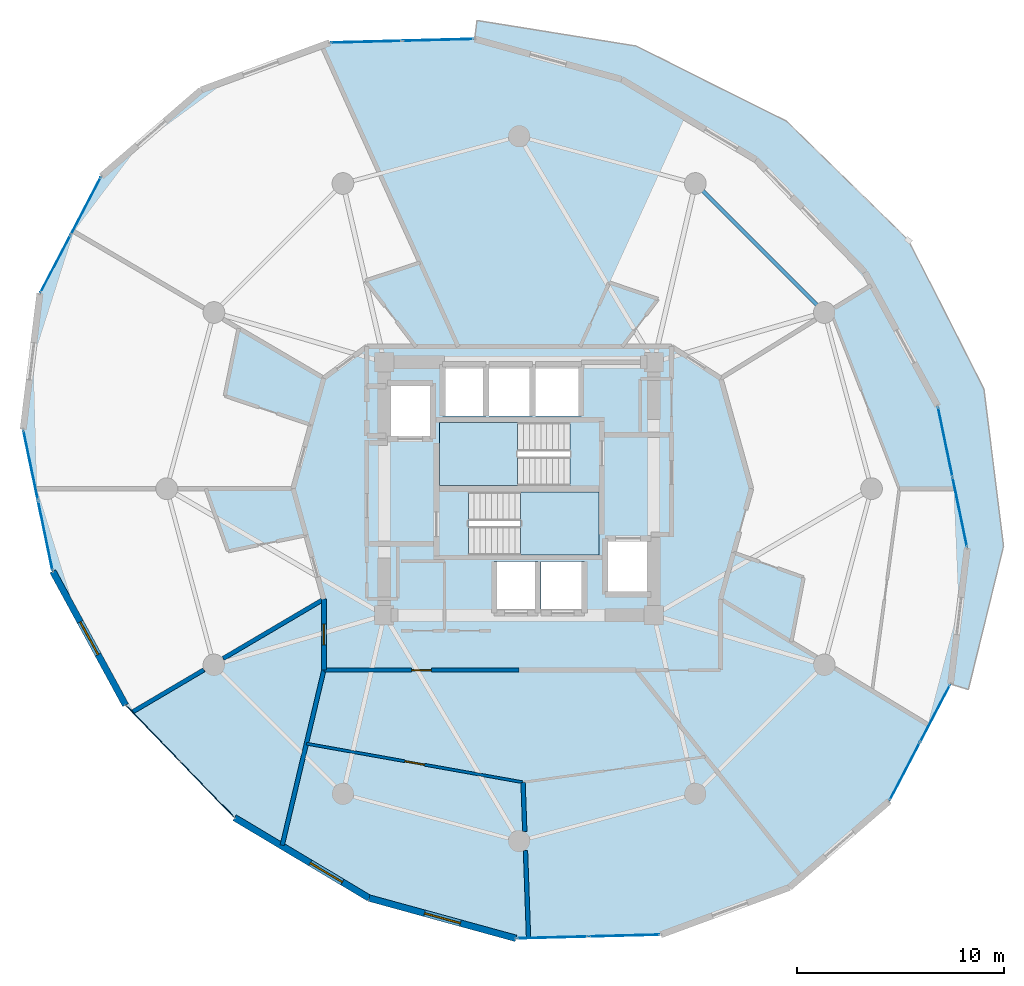
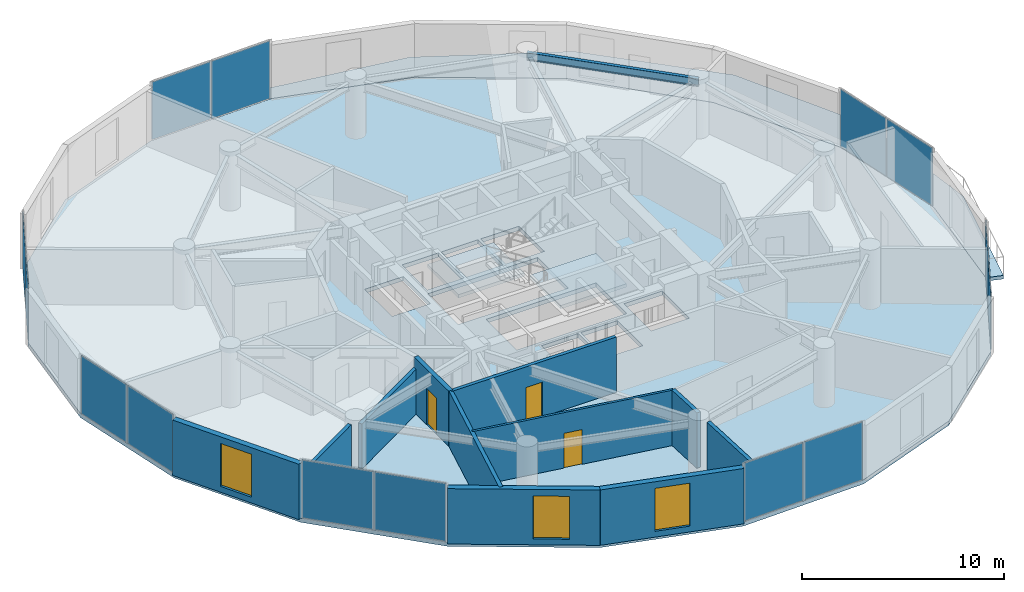
# One storey, part 19 of 25: 14 plates, 11 walls, 4 slabs, 3 doors, 3 windows, 1 beam, 6 openings, 9 elements without a shape of their own.
"""IFC4 building model written with IfcOpenShell, lengths in metres."""

import ifcopenshell
import ifcopenshell.guid

model = None  # the IFC model being written
_history = None  # IfcOwnerHistory: only IFC2X3 demands one
_inside = {}  # id of a spatial element -> (the spatial element, [elements in it])
_under = {}  # id of a project, library or spatial element -> (it, [spatial elements below it])
_declared = {}  # id of a project -> (the project, [libraries it declares])
_typed = {}  # id of a type object -> (the type object, [elements of that type])
_made_of = {}  # id of a material, layer set ... -> (it, [elements and type objects made of it])


def new_model(schema):
    """Start an empty IFC model of exactly this schema.

    Asked for "IFC4X3", IfcOpenShell would pick the latest addendum, in which some entities
    have other attributes; the version numbers below select the first issue.
    IFC2X3 requires an IfcOwnerHistory on every rooted entity: one is made here for all.
    """
    global model, _history
    if schema == "IFC4X3":
        model = ifcopenshell.file(schema_version=(4, 3, 0, 0))
    else:
        model = ifcopenshell.file(schema=schema)
    _inside.clear()
    _under.clear()
    _declared.clear()
    _typed.clear()
    _made_of.clear()
    _history = None
    if model.schema == "IFC2X3":
        org = make("IfcOrganization", Name="unknown")
        user = make(
            "IfcPersonAndOrganization",
            ThePerson=make("IfcPerson", FamilyName="unknown"),
            TheOrganization=org,
        )
        app = make(
            "IfcApplication",
            ApplicationDeveloper=org,
            Version="unknown",
            ApplicationFullName="unknown",
            ApplicationIdentifier="unknown",
        )
        _history = make(
            "IfcOwnerHistory",
            OwningUser=user,
            OwningApplication=app,
            ChangeAction="ADDED",
            CreationDate=0,
        )
    return model


def make(cls, **values):
    """One entity of the class cls with the attributes given. An attribute that is None is left unset."""
    return model.create_entity(
        cls, **{name: value for name, value in values.items() if value is not None}
    )


def rooted(cls, **values):
    """An entity with a GlobalId (a new one), such as an element, a storey or a relation."""
    return make(cls, GlobalId=ifcopenshell.guid.new(), OwnerHistory=_history, **values)


def si_unit(unit_type, name, prefix=None):
    """IfcSIUnit, for example si_unit("LENGTHUNIT", "METRE", prefix="MILLI")."""
    return make("IfcSIUnit", UnitType=unit_type, Prefix=prefix, Name=name)


def assignment(units):
    """IfcUnitAssignment: the units of a project."""
    return None if units is None else make("IfcUnitAssignment", Units=units)


def point(xyz):
    """IfcCartesianPoint."""
    return None if xyz is None else make("IfcCartesianPoint", Coordinates=xyz)


def direction(xyz):
    """IfcDirection."""
    return None if xyz is None else make("IfcDirection", DirectionRatios=xyz)


def frame(location, z_axis=None, x_axis=None):
    """IfcAxis2Placement3D, a coordinate frame: its origin and axes. An axis left out is left unset."""
    return make(
        "IfcAxis2Placement3D",
        Location=point(location),
        Axis=direction(z_axis),
        RefDirection=direction(x_axis),
    )


def frame_2d(location, x_axis=None):
    """IfcAxis2Placement2D, a coordinate frame in the plane: its origin and x axis."""
    return make(
        "IfcAxis2Placement2D", Location=point(location), RefDirection=direction(x_axis)
    )


def origin():
    """The frame at (0, 0, 0) with its axes left unset."""
    return frame((0.0, 0.0, 0.0))


def origin_2d():
    """The frame at (0, 0) in the plane with its x axis left unset."""
    return frame_2d((0.0, 0.0))


def place(relative_to, where):
    """IfcLocalPlacement: puts the frame where relative to a parent placement (None: the world)."""
    return make(
        "IfcLocalPlacement", PlacementRelTo=relative_to, RelativePlacement=where
    )


def context(
    kind, dimensions, precision=None, world=None, true_north=None, identifier=None
):
    """IfcGeometricRepresentationContext, for example the 3D "Model" context."""
    return make(
        "IfcGeometricRepresentationContext",
        ContextIdentifier=identifier,
        ContextType=kind,
        CoordinateSpaceDimension=dimensions,
        Precision=precision,
        WorldCoordinateSystem=world,
        TrueNorth=true_north,
    )


def subcontext(parent, identifier, kind, view, scale=None):
    """IfcGeometricRepresentationSubContext, for example "Body" below "Model"."""
    return make(
        "IfcGeometricRepresentationSubContext",
        ContextIdentifier=identifier,
        ContextType=kind,
        ParentContext=parent,
        TargetScale=scale,
        TargetView=view,
    )


def project(units=None, contexts=None):
    """IfcProject with its units and contexts."""
    return rooted(
        "IfcProject",
        Name="project",
        RepresentationContexts=contexts,
        UnitsInContext=assignment(units),
    )


def spatial(cls, under=None, at=None, **own):
    """A site, building, storey or space (cls), placed at a placement, below another one or the project."""
    s = rooted(cls, ObjectPlacement=at, **own)
    if under is not None:
        _under.setdefault(under.id(), (under, []))[1].append(s)
    return s


def polyline(points):
    """IfcPolyline through the points."""
    return make("IfcPolyline", Points=[point(p) for p in points])


def profile(cls, at=None, kind="AREA", **sizes):
    """A parametric profile (cls). Its sizes go by their IFC names, for example OverallWidth=200.0."""
    return make(cls, ProfileType=kind, Position=at, **sizes)


def rectangle(**sizes):
    """IfcRectangleProfileDef."""
    return profile("IfcRectangleProfileDef", **sizes)


def i_section(**sizes):
    """IfcIShapeProfileDef."""
    return profile("IfcIShapeProfileDef", **sizes)


def outline(outer, holes=None, kind="AREA"):
    """IfcArbitraryClosedProfileDef: a profile drawn as a closed curve; with holes, ...WithVoids."""
    if holes is None:
        return make("IfcArbitraryClosedProfileDef", ProfileType=kind, OuterCurve=outer)
    return make(
        "IfcArbitraryProfileDefWithVoids",
        ProfileType=kind,
        OuterCurve=outer,
        InnerCurves=holes,
    )


def extrude(swept, where, along, depth):
    """IfcExtrudedAreaSolid: the profile swept, set in the frame where, extruded along a direction by depth."""
    return make(
        "IfcExtrudedAreaSolid",
        SweptArea=swept,
        Position=where,
        ExtrudedDirection=direction(along),
        Depth=depth,
    )


def shape(context_of_items, identifier, shape_type, items):
    """IfcShapeRepresentation: the items that make up one representation, for example the "Body"."""
    return make(
        "IfcShapeRepresentation",
        ContextOfItems=context_of_items,
        RepresentationIdentifier=identifier,
        RepresentationType=shape_type,
        Items=items,
    )


def source(mapping_origin, context_of_items, identifier, shape_type, items):
    """IfcRepresentationMap: a shape defined once, which mapped items show again and again."""
    return make(
        "IfcRepresentationMap",
        MappingOrigin=mapping_origin,
        MappedRepresentation=shape(context_of_items, identifier, shape_type, items),
    )


def transform(
    local_origin,
    x_axis=None,
    y_axis=None,
    z_axis=None,
    scale=None,
    scale2=None,
    scale3=None,
    uniform=True,
):
    """IfcCartesianTransformationOperator3D, or its non-uniform kind. x_axis, y_axis, z_axis: its Axis1, 2, 3."""
    if uniform:
        return make(
            "IfcCartesianTransformationOperator3D",
            Axis1=direction(x_axis),
            Axis2=direction(y_axis),
            LocalOrigin=point(local_origin),
            Scale=scale,
            Axis3=direction(z_axis),
        )
    return make(
        "IfcCartesianTransformationOperator3DnonUniform",
        Axis1=direction(x_axis),
        Axis2=direction(y_axis),
        LocalOrigin=point(local_origin),
        Scale=scale,
        Axis3=direction(z_axis),
        Scale2=scale2,
        Scale3=scale3,
    )


def mapped(mapping_source, mapping_target):
    """IfcMappedItem: shows the shape of a source again, moved by a transform."""
    return make(
        "IfcMappedItem", MappingSource=mapping_source, MappingTarget=mapping_target
    )


def material(Name=None, Category=None):
    """IfcMaterial."""
    return make("IfcMaterial", Name=Name, Category=Category)


def layer(
    of_material, thickness, ventilated=None, Name=None, Category=None, Priority=None
):
    """IfcMaterialLayer: one layer of a wall or slab, of a material (None: an air gap)."""
    return make(
        "IfcMaterialLayer",
        Material=of_material,
        LayerThickness=thickness,
        IsVentilated=ventilated,
        Name=Name,
        Category=Category,
        Priority=Priority,
    )


def layer_set(layers, Name=None):
    """IfcMaterialLayerSet."""
    return make("IfcMaterialLayerSet", MaterialLayers=layers, LayerSetName=Name)


def material_profile(
    of_material, cross_section, Name=None, Category=None, Priority=None
):
    """IfcMaterialProfile: a cross section and its material."""
    return make(
        "IfcMaterialProfile",
        Name=Name,
        Material=of_material,
        Profile=cross_section,
        Priority=Priority,
        Category=Category,
    )


def profile_set(profiles, Name=None, composite=None):
    """IfcMaterialProfileSet."""
    return make(
        "IfcMaterialProfileSet",
        Name=Name,
        MaterialProfiles=profiles,
        CompositeProfile=composite,
    )


def made_of(thing, what):
    """Note that an element or type object is made of a material, layer set ...; save() writes the relation."""
    if what is not None:
        _made_of.setdefault(what.id(), (what, []))[1].append(thing)
    return thing


def type_object(cls, material=None, **own):
    """A type object (cls), such as IfcWallType, which elements share."""
    return made_of(rooted(cls, **own), material)


def element(
    cls,
    number,
    at=None,
    inside=None,
    cuts=None,
    type_object=None,
    material=None,
    context=None,
    identifier="Body",
    shape_type=None,
    held_by="IfcProductDefinitionShape",
    body=None,
    shapes=None,
    **own,
):
    """One element of the class cls, such as IfcWall. Its Tag is "e" and its number.

    at: its placement. inside: the storey or other place that contains it. cuts: it is an
    opening in that element (IfcRelVoidsElement). A single representation is given by context,
    identifier, shape_type and body (its items); several are given by shapes. held_by: the class
    of the entity that holds the representations. save() writes the other relations.
    """
    e = rooted(cls, Tag="e%d" % number, ObjectPlacement=at, **own)
    if body is not None:
        shapes = [shape(context, identifier, shape_type, body)]
    if shapes is not None:
        e.Representation = make(held_by, Representations=shapes)
    if inside is not None:
        _inside.setdefault(inside.id(), (inside, []))[1].append(e)
    if cuts is not None:
        rooted(
            "IfcRelVoidsElement", RelatingBuildingElement=cuts, RelatedOpeningElement=e
        )
    if type_object is not None:
        _typed.setdefault(type_object.id(), (type_object, []))[1].append(e)
    return made_of(e, material)


def fill(opening, filler):
    """IfcRelFillsElement: the door or window that sits in an opening."""
    return rooted(
        "IfcRelFillsElement",
        RelatingOpeningElement=opening,
        RelatedBuildingElement=filler,
    )


def aggregate(whole, parts):
    """IfcRelAggregates: a whole, such as a stair, and the parts it consists of."""
    return rooted("IfcRelAggregates", RelatingObject=whole, RelatedObjects=parts)


def save(model, path):
    """Write the relations noted so far, then the file.

    IfcRelAggregates (storeys below a building ...), IfcRelContainedInSpatialStructure (elements
    in a storey), IfcRelDefinesByType, IfcRelAssociatesMaterial and IfcRelDeclares: one each for
    every whole, place, type object, material and project.
    """
    for whole, parts in _under.values():
        aggregate(whole, parts)
    for where, things in _inside.values():
        rooted(
            "IfcRelContainedInSpatialStructure",
            RelatedElements=things,
            RelatingStructure=where,
        )
    for kind, things in _typed.values():
        rooted("IfcRelDefinesByType", RelatedObjects=things, RelatingType=kind)
    for what, things in _made_of.values():
        rooted("IfcRelAssociatesMaterial", RelatedObjects=things, RelatingMaterial=what)
    for by, libraries in _declared.values():
        rooted("IfcRelDeclares", RelatingContext=by, RelatedDefinitions=libraries)
    model.write(path)


model = new_model("IFC4")

# Units and contexts
model_context = context("Model", 3, precision=1e-05, world=origin(), true_north=direction((0.0, 1.0)))
body_context = subcontext(model_context, "Body", "Model", "MODEL_VIEW")
ifc_project = project(units=[si_unit("LENGTHUNIT", "METRE"), si_unit("AREAUNIT", "SQUARE_METRE"), si_unit("VOLUMEUNIT", "CUBIC_METRE"), si_unit("PLANEANGLEUNIT", "RADIAN"), si_unit("MASSUNIT", "GRAM", prefix="KILO")], contexts=[model_context])

# Site, building, storey
site_placement = place(None, origin())
site = spatial("IfcSite", under=ifc_project, at=site_placement, CompositionType="ELEMENT")
building_placement = place(site_placement, origin())
building = spatial("IfcBuilding", under=site, at=building_placement, Name="Solvirekh Grand Hotel", CompositionType="ELEMENT")
storey_placement = place(building_placement, frame((0.0, 0.0, 127.800048828125)))
storey = spatial("IfcBuildingStorey", under=building, at=storey_placement, Name="L32", CompositionType="ELEMENT", Elevation=127.800048828125)

# Beam
ifc_material_1 = material(Name="Steel S355", Category="steel")
ifc_material_profile = material_profile(ifc_material_1, i_section(OverallWidth=0.18994140625, OverallDepth=0.45703125, WebThickness=0.009033203125, FlangeThickness=0.013916015625, FilletRadius=0.012939453125, at=origin_2d()), Name="W460X74")
ifc_profile_set = profile_set([ifc_material_profile], Name="Steel S355")
beam_type = type_object("IfcBeamType", Name="Spandrel_Ring_W460", PredefinedType="SPANDREL", material=ifc_profile_set)
beam_placement = place(storey_placement, frame((14.721923828125, 8.5, 3.1220703125), z_axis=(-0.707106781187, 0.707106781187, 0.0), x_axis=(-0.707106781187, -0.707106781187, 0.0)))
element("IfcBeam", 1, at=beam_placement, inside=storey, type_object=beam_type, Name="L32 perimeter spandrel beam 2", PredefinedType="SPANDREL", context=body_context, shape_type="SweptSolid", body=[
    extrude(i_section(OverallWidth=0.18994140625, OverallDepth=0.45703125, WebThickness=0.009033203125, FlangeThickness=0.013916015625, FilletRadius=0.012939453125, at=origin_2d()), origin(), (0.0, 0.0, 1.0), 8.799072265625),
])

# Slab
ifc_material_2 = material(Name="Concrete C50/60", Category="concrete")
ifc_layer_1 = layer(ifc_material_2, 0.215087890625)
ifc_layer_set_1 = layer_set([ifc_layer_1], Name="Concrete C50/60")
slab_type_1 = type_object("IfcSlabType", Name="ExtCrescentBalc_215", PredefinedType="FLOOR", material=ifc_layer_set_1)
slab_1_placement = place(storey_placement, frame((0.0, 0.0, -0.215087890625)))
element("IfcSlab", 2, at=slab_1_placement, inside=storey, type_object=slab_type_1, Name="L32 sweeping crescent balcony slab", PredefinedType="FLOOR", context=body_context, shape_type="SweptSolid", body=[
    extrude(outline(polyline([(21.6708984375, -9.68701171875), (23.365966796875, -2.778076171875), (22.4208984375, 4.81005859375), (18.778076171875, 11.98193359375), (12.902099609375, 17.72900390625), (5.6298828125, 21.35595703125), (-2.031982421875, 22.5859375), (-2.14501953125, 21.693115234375), (4.93994140625, 19.748046875), (11.427978515625, 15.8701171875), (16.68505859375, 10.43798828125), (20.197021484375, 3.985107421875), (21.617919921875, -2.85791015625), (20.81103515625, -9.422119140625), (21.6708984375, -9.68701171875)])), origin(), (0.0, 0.0, 1.0), 0.215087890625),
])

# Stair, slab
ifc_material_3 = material(Name="Concrete C40/50", Category="concrete")
stair_type = type_object("IfcStairType", Name="Stair_Core_1450", PredefinedType="HALF_TURN_STAIR", material=ifc_material_3)
stair_1_placement = place(storey_placement, origin())
stair_1 = element("IfcStair", 3, at=stair_1_placement, inside=storey, type_object=stair_type, Name="L32 Enclosed exit stair ST-1", PredefinedType="HALF_TURN_STAIR")
ifc_layer_2 = layer(ifc_material_3, 0.199951171875)
ifc_layer_set_2 = layer_set([ifc_layer_2], Name="Concrete C40/50")
slab_type_2 = type_object("IfcSlabType", Name="Landing_Stair_200", PredefinedType="LANDING", material=ifc_layer_set_2)
slab_2_placement = place(storey_placement, frame((0.0, 0.0, 1.599853515625)))
slab_2 = element("IfcSlab", 4, at=slab_2_placement, type_object=slab_type_2, Name="ST-1 landing 1", PredefinedType="LANDING", context=body_context, shape_type="SweptSolid", body=[
    extrude(outline(polyline([(0.070068359375, -3.199951171875), (3.85009765625, -3.199951171875), (3.85009765625, -0.14990234375), (0.070068359375, -0.14990234375), (0.070068359375, -3.199951171875)])), origin(), (0.0, 0.0, 1.0), 0.2001953125),
])
aggregate(stair_1, [slab_2])

stair_2_placement = place(storey_placement, origin())
stair_2 = element("IfcStair", 5, at=stair_2_placement, inside=storey, type_object=stair_type, Name="L32 Enclosed exit stair ST-2", PredefinedType="HALF_TURN_STAIR")
slab_3_placement = place(storey_placement, frame((0.0, 0.0, 1.599853515625)))
slab_3 = element("IfcSlab", 6, at=slab_3_placement, type_object=slab_type_2, Name="ST-2 landing 1", PredefinedType="LANDING", context=body_context, shape_type="SweptSolid", body=[
    extrude(outline(polyline([(-0.070068359375, 3.199951171875), (-3.85009765625, 3.199951171875), (-3.85009765625, 0.14990234375), (-0.070068359375, 0.14990234375), (-0.070068359375, 3.199951171875)])), origin(), (0.0, 0.0, 1.0), 0.2001953125),
])
aggregate(stair_2, [slab_3])

# Slab
ifc_layer_3 = layer(ifc_material_2, 0.25)
ifc_layer_set_3 = layer_set([ifc_layer_3], Name="Concrete C50/60")
slab_type_3 = type_object("IfcSlabType", Name="Slab_GuestZ2_250", PredefinedType="FLOOR", material=ifc_layer_set_3)
slab_4_placement = place(storey_placement, frame((0.0, 0.0, -0.25)))
element("IfcSlab", 7, at=slab_4_placement, inside=storey, type_object=slab_type_3, Name="L32 structural floor slab", PredefinedType="FLOOR", context=body_context, shape_type="SweptSolid", body=[
    extrude(outline(polyline([(17.85498046875, -15.06298828125), (20.81103515625, -9.422119140625), (21.617919921875, -2.85791015625), (20.197021484375, 3.985107421875), (16.68505859375, 10.43798828125), (11.427978515625, 15.8701171875), (4.93994140625, 19.748046875), (-2.14501953125, 21.693115234375), (-9.132080078125, 21.513916015625), (-15.337890625, 19.22998046875), (-20.155029296875, 15.06298828125), (-23.111083984375, 9.422119140625), (-23.91796875, 2.85791015625), (-22.4970703125, -3.985107421875), (-18.985107421875, -10.43798828125), (-13.72802734375, -15.8701171875), (-7.239990234375, -19.748046875), (-0.155029296875, -21.693115234375), (6.83203125, -21.513916015625), (13.0380859375, -19.22998046875), (17.85498046875, -15.06298828125)]), holes=[polyline([(-2.444091796875, -0.14990234375), (3.85009765625, -0.14990234375), (3.85009765625, -3.199951171875), (-2.444091796875, -3.199951171875), (-2.444091796875, -0.14990234375)]), polyline([(2.444091796875, 0.14990234375), (-3.85009765625, 0.14990234375), (-3.85009765625, 3.199951171875), (2.444091796875, 3.199951171875), (2.444091796875, 0.14990234375)]), polyline([(-1.199951171875, -3.5), (0.89990234375, -3.5), (0.89990234375, -6.0), (-1.199951171875, -6.0), (-1.199951171875, -3.5)]), polyline([(1.050048828125, -3.5), (3.14990234375, -3.5), (3.14990234375, -6.0), (1.050048828125, -6.0), (1.050048828125, -3.5)]), polyline([(-3.699951171875, 6.0), (-1.60009765625, 6.0), (-1.60009765625, 3.5), (-3.699951171875, 3.5), (-3.699951171875, 6.0)]), polyline([(-1.449951171875, 6.0), (0.64990234375, 6.0), (0.64990234375, 3.5), (-1.449951171875, 3.5), (-1.449951171875, 6.0)]), polyline([(0.800048828125, 6.0), (3.0, 6.0), (3.0, 3.5), (0.800048828125, 3.5), (0.800048828125, 6.0)]), polyline([(-6.35009765625, 5.10009765625), (-4.14990234375, 5.10009765625), (-4.14990234375, 2.39990234375), (-6.35009765625, 2.39990234375), (-6.35009765625, 5.10009765625)]), polyline([(4.14990234375, -2.39990234375), (6.35009765625, -2.39990234375), (6.35009765625, -5.10009765625), (4.14990234375, -5.10009765625), (4.14990234375, -2.39990234375)])]), origin(), (0.0, 0.0, 1.0), 0.25),
])

# Curtain wall, plates
ifc_material_4 = material(Name="Anodized Bronze Aluminium 6063-T6", Category="aluminium")
ifc_layer_4 = layer(ifc_material_4, 0.175048828125)
ifc_layer_set_4 = layer_set([ifc_layer_4], Name="Anodized Bronze Aluminium 6063-T6")
curtain_wall_type = type_object("IfcCurtainWallType", Name="CW_Sys3_MidZoneFlushBronzeCW", PredefinedType="NOTDEFINED", material=ifc_layer_set_4)
curtain_wall_1_placement = place(storey_placement, origin())
curtain_wall_1 = element("IfcCurtainWall", 8, at=curtain_wall_1_placement, inside=storey, type_object=curtain_wall_type, Name="L32 unitised bronze-glass curtain wall CW-L32-C08", PredefinedType="NOTDEFINED")
ifc_material_5 = material(Name="Low-E Tinted Bronze Laminated Glass", Category="aluminium")
ifc_layer_5 = layer(ifc_material_5, 0.035888671875)
ifc_layer_set_5 = layer_set([ifc_layer_5], Name="Low-E Tinted Bronze Laminated Glass")
plate_type = type_object("IfcPlateType", Name="CWPanel_Mid_36", PredefinedType="CURTAIN_PANEL", material=ifc_layer_set_5)
shared_shape_1 = source(origin(), body_context, "Body", "SweptSolid", [
    extrude(rectangle(XDim=3.397216796875, YDim=0.035888671875, at=origin_2d()), origin(), (0.0, 0.0, 1.0), 3.489990234375),
])
plate_1_placement = place(storey_placement, frame((-3.907958984375, 21.64794921875, 0.05517578125), z_axis=(0.0, 0.0, 1.0), x_axis=(-0.999671994699, -0.025610603562, 0.0)))
plate_1 = element("IfcPlate", 9, at=plate_1_placement, type_object=plate_type, Name="U03 panel 1.1", PredefinedType="CURTAIN_PANEL", context=body_context, shape_type="MappedRepresentation", body=[
    mapped(shared_shape_1, transform((0.0, 0.0, 0.0), x_axis=(1.0, 0.0, 0.0), y_axis=(0.0, 1.0, 0.0), z_axis=(0.0, 0.0, 1.0), scale=1.0)),
])
plate_2_placement = place(storey_placement, frame((-7.368896484375, 21.55908203125, 0.05517578125), z_axis=(0.0, 0.0, 1.0), x_axis=(-0.999671994699, -0.025610603562, 0.0)))
plate_2 = element("IfcPlate", 10, at=plate_2_placement, type_object=plate_type, Name="U03 panel 2.1", PredefinedType="CURTAIN_PANEL", context=body_context, shape_type="MappedRepresentation", body=[
    mapped(shared_shape_1, transform((0.0, 0.0, 0.0), x_axis=(1.0, 0.0, 0.0), y_axis=(0.0, 1.0, 0.0), z_axis=(0.0, 0.0, 1.0), scale=1.0)),
])
aggregate(curtain_wall_1, [plate_1, plate_2])

curtain_wall_2_placement = place(storey_placement, origin())
curtain_wall_2 = element("IfcCurtainWall", 11, at=curtain_wall_2_placement, inside=storey, type_object=curtain_wall_type, Name="L32 unitised bronze-glass curtain wall CW-L32-C18", PredefinedType="NOTDEFINED")
plate_3_placement = place(storey_placement, frame((1.60791015625, -21.64794921875, 0.05517578125), z_axis=(0.0, 0.0, 1.0), x_axis=(0.999671994699, 0.025610603562, 0.0)))
plate_3 = element("IfcPlate", 12, at=plate_3_placement, type_object=plate_type, Name="U03 panel 1.1", PredefinedType="CURTAIN_PANEL", context=body_context, shape_type="MappedRepresentation", body=[
    mapped(shared_shape_1, transform((0.0, 0.0, 0.0), x_axis=(1.0, 0.0, 0.0), y_axis=(0.0, 1.0, 0.0), z_axis=(0.0, 0.0, 1.0), scale=1.0)),
])
plate_4_placement = place(storey_placement, frame((5.069091796875, -21.55908203125, 0.05517578125), z_axis=(0.0, 0.0, 1.0), x_axis=(0.999671994699, 0.025610603562, 0.0)))
plate_4 = element("IfcPlate", 13, at=plate_4_placement, type_object=plate_type, Name="U03 panel 2.1", PredefinedType="CURTAIN_PANEL", context=body_context, shape_type="MappedRepresentation", body=[
    mapped(shared_shape_1, transform((0.0, 0.0, 0.0), x_axis=(1.0, 0.0, 0.0), y_axis=(0.0, 1.0, 0.0), z_axis=(0.0, 0.0, 1.0), scale=1.0)),
])
aggregate(curtain_wall_2, [plate_3, plate_4])

curtain_wall_3_placement = place(storey_placement, origin())
curtain_wall_3 = element("IfcCurtainWall", 14, at=curtain_wall_3_placement, inside=storey, type_object=curtain_wall_type, Name="L32 unitised bronze-glass curtain wall CW-L32-C15", PredefinedType="NOTDEFINED")
shared_shape_2 = source(origin(), body_context, "Body", "SweptSolid", [
    extrude(rectangle(XDim=3.68212890625, YDim=0.035888671875, at=origin_2d()), origin(), (0.0, 0.0, 1.0), 3.489990234375),
])
plate_5_placement = place(storey_placement, frame((-17.659423828125, -11.8076171875, 0.05517578125), z_axis=(0.0, 0.0, 1.0), x_axis=(0.695436852638, -0.718587213909, 0.0)))
plate_5 = element("IfcPlate", 15, at=plate_5_placement, type_object=plate_type, Name="U03 panel 1.1", PredefinedType="CURTAIN_PANEL", context=body_context, shape_type="MappedRepresentation", body=[
    mapped(shared_shape_2, transform((0.0, 0.0, 0.0), x_axis=(1.0, 0.0, 0.0), y_axis=(0.0, 1.0, 0.0), z_axis=(0.0, 0.0, 1.0), scale=1.0)),
])
plate_6_placement = place(storey_placement, frame((-15.053466796875, -14.500244140625, 0.05517578125), z_axis=(0.0, 0.0, 1.0), x_axis=(0.695436852638, -0.718587213909, 0.0)))
plate_6 = element("IfcPlate", 16, at=plate_6_placement, type_object=plate_type, Name="U03 panel 2.1", PredefinedType="CURTAIN_PANEL", context=body_context, shape_type="MappedRepresentation", body=[
    mapped(shared_shape_2, transform((0.0, 0.0, 0.0), x_axis=(1.0, 0.0, 0.0), y_axis=(0.0, 1.0, 0.0), z_axis=(0.0, 0.0, 1.0), scale=1.0)),
])
aggregate(curtain_wall_3, [plate_5, plate_6])

curtain_wall_4_placement = place(storey_placement, origin())
curtain_wall_4 = element("IfcCurtainWall", 17, at=curtain_wall_4_placement, inside=storey, type_object=curtain_wall_type, Name="L32 unitised bronze-glass curtain wall CW-L32-C03", PredefinedType="NOTDEFINED")
shared_shape_3 = source(origin(), body_context, "Body", "SweptSolid", [
    extrude(rectangle(XDim=3.39697265625, YDim=0.035888671875, at=origin_2d()), origin(), (0.0, 0.0, 1.0), 3.489990234375),
])
plate_7_placement = place(storey_placement, frame((21.259521484375, -1.13134765625, 0.05517578125), z_axis=(0.0, 0.0, 1.0), x_axis=(-0.203319982834, 0.979112345229, 0.0)))
plate_7 = element("IfcPlate", 18, at=plate_7_placement, type_object=plate_type, Name="U03 panel 1.1", PredefinedType="CURTAIN_PANEL", context=body_context, shape_type="MappedRepresentation", body=[
    mapped(shared_shape_3, transform((0.0, 0.0, 0.0), x_axis=(1.0, 0.0, 0.0), y_axis=(0.0, 1.0, 0.0), z_axis=(0.0, 0.0, 1.0), scale=1.0)),
])
plate_8_placement = place(storey_placement, frame((20.5556640625, 2.25830078125, 0.05517578125), z_axis=(0.0, 0.0, 1.0), x_axis=(-0.203319982834, 0.979112345229, 0.0)))
plate_8 = element("IfcPlate", 19, at=plate_8_placement, type_object=plate_type, Name="U03 panel 2.1", PredefinedType="CURTAIN_PANEL", context=body_context, shape_type="MappedRepresentation", body=[
    mapped(shared_shape_3, transform((0.0, 0.0, 0.0), x_axis=(1.0, 0.0, 0.0), y_axis=(0.0, 1.0, 0.0), z_axis=(0.0, 0.0, 1.0), scale=1.0)),
])
aggregate(curtain_wall_4, [plate_7, plate_8])

curtain_wall_5_placement = place(storey_placement, origin())
curtain_wall_5 = element("IfcCurtainWall", 20, at=curtain_wall_5_placement, inside=storey, type_object=curtain_wall_type, Name="L32 unitised bronze-glass curtain wall CW-L32-C13", PredefinedType="NOTDEFINED")
plate_9_placement = place(storey_placement, frame((-23.559326171875, 1.13134765625, 0.05517578125), z_axis=(0.0, 0.0, 1.0), x_axis=(0.203319982834, -0.979112345229, 0.0)))
plate_9 = element("IfcPlate", 21, at=plate_9_placement, type_object=plate_type, Name="U03 panel 1.1", PredefinedType="CURTAIN_PANEL", context=body_context, shape_type="MappedRepresentation", body=[
    mapped(shared_shape_3, transform((0.0, 0.0, 0.0), x_axis=(1.0, 0.0, 0.0), y_axis=(0.0, 1.0, 0.0), z_axis=(0.0, 0.0, 1.0), scale=1.0)),
])
plate_10_placement = place(storey_placement, frame((-22.85546875, -2.25830078125, 0.05517578125), z_axis=(0.0, 0.0, 1.0), x_axis=(0.203319982834, -0.979112345229, 0.0)))
plate_10 = element("IfcPlate", 22, at=plate_10_placement, type_object=plate_type, Name="U03 panel 2.1", PredefinedType="CURTAIN_PANEL", context=body_context, shape_type="MappedRepresentation", body=[
    mapped(shared_shape_3, transform((0.0, 0.0, 0.0), x_axis=(1.0, 0.0, 0.0), y_axis=(0.0, 1.0, 0.0), z_axis=(0.0, 0.0, 1.0), scale=1.0)),
])
aggregate(curtain_wall_5, [plate_9, plate_10])

curtain_wall_6_placement = place(storey_placement, origin())
curtain_wall_6 = element("IfcCurtainWall", 23, at=curtain_wall_6_placement, inside=storey, type_object=curtain_wall_type, Name="L32 unitised bronze-glass curtain wall CW-L32-C01", PredefinedType="NOTDEFINED")
shared_shape_4 = source(origin(), body_context, "Body", "SweptSolid", [
    extrude(rectangle(XDim=3.086669921875, YDim=0.035888671875, at=origin_2d()), origin(), (0.0, 0.0, 1.0), 3.489990234375),
])
plate_11_placement = place(storey_placement, frame((18.6015625, -13.638427734375, 0.05517578125), z_axis=(0.0, 0.0, 1.0), x_axis=(0.4641536715, 0.885754689083, 0.0)))
plate_11 = element("IfcPlate", 24, at=plate_11_placement, type_object=plate_type, Name="U03 panel 1.1", PredefinedType="CURTAIN_PANEL", context=body_context, shape_type="MappedRepresentation", body=[
    mapped(shared_shape_4, transform((0.0, 0.0, 0.0), x_axis=(1.0, 0.0, 0.0), y_axis=(0.0, 1.0, 0.0), z_axis=(0.0, 0.0, 1.0), scale=1.0)),
])
plate_12_placement = place(storey_placement, frame((20.064453125, -10.8466796875, 0.05517578125), z_axis=(0.0, 0.0, 1.0), x_axis=(0.4641536715, 0.885754689083, 0.0)))
plate_12 = element("IfcPlate", 25, at=plate_12_placement, type_object=plate_type, Name="U03 panel 2.1", PredefinedType="CURTAIN_PANEL", context=body_context, shape_type="MappedRepresentation", body=[
    mapped(shared_shape_4, transform((0.0, 0.0, 0.0), x_axis=(1.0, 0.0, 0.0), y_axis=(0.0, 1.0, 0.0), z_axis=(0.0, 0.0, 1.0), scale=1.0)),
])
aggregate(curtain_wall_6, [plate_11, plate_12])

curtain_wall_7_placement = place(storey_placement, origin())
curtain_wall_7 = element("IfcCurtainWall", 26, at=curtain_wall_7_placement, inside=storey, type_object=curtain_wall_type, Name="L32 unitised bronze-glass curtain wall CW-L32-C11", PredefinedType="NOTDEFINED")
plate_13_placement = place(storey_placement, frame((-20.901611328125, 13.638427734375, 0.05517578125), z_axis=(0.0, 0.0, 1.0), x_axis=(-0.4641536715, -0.885754689083, 0.0)))
plate_13 = element("IfcPlate", 27, at=plate_13_placement, type_object=plate_type, Name="U03 panel 1.1", PredefinedType="CURTAIN_PANEL", context=body_context, shape_type="MappedRepresentation", body=[
    mapped(shared_shape_4, transform((0.0, 0.0, 0.0), x_axis=(1.0, 0.0, 0.0), y_axis=(0.0, 1.0, 0.0), z_axis=(0.0, 0.0, 1.0), scale=1.0)),
])
plate_14_placement = place(storey_placement, frame((-22.364501953125, 10.8466796875, 0.05517578125), z_axis=(0.0, 0.0, 1.0), x_axis=(-0.4641536715, -0.885754689083, 0.0)))
plate_14 = element("IfcPlate", 28, at=plate_14_placement, type_object=plate_type, Name="U03 panel 2.1", PredefinedType="CURTAIN_PANEL", context=body_context, shape_type="MappedRepresentation", body=[
    mapped(shared_shape_4, transform((0.0, 0.0, 0.0), x_axis=(1.0, 0.0, 0.0), y_axis=(0.0, 1.0, 0.0), z_axis=(0.0, 0.0, 1.0), scale=1.0)),
])
aggregate(curtain_wall_7, [plate_13, plate_14])

# Wall, opening, window
ifc_material_6 = material(Name="Precast concrete C45/55", Category="concrete")
ifc_layer_6 = layer(ifc_material_6, 0.320068359375)
ifc_layer_set_6 = layer_set([ifc_layer_6], Name="Precast concrete C45/55")
wall_type_1 = type_object("IfcWallType", Name="ExtLobbyWall_RC320", PredefinedType="SOLIDWALL", material=ifc_layer_set_6)
wall_1_placement = place(storey_placement, frame((-18.985107421875, -10.43798828125, 0.0), z_axis=(0.0, 0.0, 1.0), x_axis=(-0.478034683055, 0.878340959876, 0.0)))
wall_1 = element("IfcWall", 29, at=wall_1_placement, inside=storey, type_object=wall_type_1, Name="L32 exterior structural wall chord 14", PredefinedType="SOLIDWALL", context=body_context, shape_type="SweptSolid", body=[
    extrude(rectangle(XDim=7.3466796875, YDim=0.320068359375, at=frame_2d((3.67333984375, 0.0))), origin(), (0.0, 0.0, 1.0), 3.349853515625),
])
opening_1_placement = place(wall_1_placement, frame((2.77294921875, 0.0, 0.35009765625)))
opening_1 = element("IfcOpeningElement", 30, at=opening_1_placement, cuts=wall_1, Name="Opening W02", PredefinedType="OPENING", context=body_context, shape_type="SweptSolid", body=[
    extrude(rectangle(XDim=1.800048828125, YDim=2.60009765625, at=frame_2d((0.89990234375, 1.300048828125))), frame((0.0, 0.169921875, 0.0), z_axis=(0.0, -1.0, 0.0), x_axis=(1.0, 0.0, 0.0)), (0.0, 0.0, 1.0), 0.340087890625),
])
window_type = type_object("IfcWindowType", Name="Win_LobbyExt_1800X2600", PartitioningType="SINGLE_PANEL", PredefinedType="WINDOW", material=ifc_material_5)
window_1_placement = place(opening_1_placement, origin())
window_1 = element("IfcWindow", 31, at=window_1_placement, inside=storey, type_object=window_type, Name="L32 panoramic bronze-framed window 14", OverallHeight=2.60009765625, OverallWidth=1.800048828125, PartitioningType="SINGLE_PANEL", PredefinedType="WINDOW", context=body_context, shape_type="SweptSolid", body=[
    extrude(rectangle(XDim=1.800048828125, YDim=2.60009765625, at=frame_2d((0.89990234375, 1.300048828125))), frame((0.0, 0.030029296875, 0.0), z_axis=(0.0, -1.0, 0.0), x_axis=(1.0, 0.0, 0.0)), (0.0, 0.0, 1.0), 0.06005859375),
])
fill(opening_1, window_1)

wall_2_placement = place(storey_placement, frame((-7.239990234375, -19.748046875, 0.0), z_axis=(0.0, 0.0, 1.0), x_axis=(-0.858360940194, 0.51304629065, 0.0)))
wall_2 = element("IfcWall", 32, at=wall_2_placement, inside=storey, type_object=wall_type_1, Name="L32 exterior structural wall chord 16", PredefinedType="SOLIDWALL", context=body_context, shape_type="SweptSolid", body=[
    extrude(rectangle(XDim=7.55859375, YDim=0.320068359375, at=frame_2d((3.779296875, 0.0))), origin(), (0.0, 0.0, 1.0), 3.349853515625),
])
opening_2_placement = place(wall_2_placement, frame((1.5009765625, 0.0, 0.35009765625)))
opening_2 = element("IfcOpeningElement", 33, at=opening_2_placement, cuts=wall_2, Name="Opening W02", PredefinedType="OPENING", context=body_context, shape_type="SweptSolid", body=[
    extrude(rectangle(XDim=1.800048828125, YDim=2.60009765625, at=frame_2d((0.89990234375, 1.300048828125))), frame((0.0, 0.169921875, 0.0), z_axis=(0.0, -1.0, 0.0), x_axis=(1.0, 0.0, 0.0)), (0.0, 0.0, 1.0), 0.340087890625),
])
window_2_placement = place(opening_2_placement, origin())
window_2 = element("IfcWindow", 34, at=window_2_placement, inside=storey, type_object=window_type, Name="L32 panoramic bronze-framed window 16", OverallHeight=2.60009765625, OverallWidth=1.800048828125, PartitioningType="SINGLE_PANEL", PredefinedType="WINDOW", context=body_context, shape_type="SweptSolid", body=[
    extrude(rectangle(XDim=1.800048828125, YDim=2.60009765625, at=frame_2d((0.89990234375, 1.300048828125))), frame((0.0, 0.030029296875, 0.0), z_axis=(0.0, -1.0, 0.0), x_axis=(1.0, 0.0, 0.0)), (0.0, 0.0, 1.0), 0.06005859375),
])
fill(opening_2, window_2)

wall_3_placement = place(storey_placement, frame((-0.155029296875, -21.693115234375, 0.0), z_axis=(0.0, 0.0, 1.0), x_axis=(-0.964319993606, 0.264739400036, 0.0)))
wall_3 = element("IfcWall", 35, at=wall_3_placement, inside=storey, type_object=wall_type_1, Name="L32 exterior structural wall chord 17", PredefinedType="SOLIDWALL", context=body_context, shape_type="SweptSolid", body=[
    extrude(rectangle(XDim=7.34716796875, YDim=0.320068359375, at=frame_2d((3.673583984375, 0.0))), origin(), (0.0, 0.0, 1.0), 3.349853515625),
])
opening_3_placement = place(wall_3_placement, frame((2.77392578125, 0.0, 0.35009765625)))
opening_3 = element("IfcOpeningElement", 36, at=opening_3_placement, cuts=wall_3, Name="Opening W02", PredefinedType="OPENING", context=body_context, shape_type="SweptSolid", body=[
    extrude(rectangle(XDim=1.800048828125, YDim=2.60009765625, at=frame_2d((0.89990234375, 1.300048828125))), frame((0.0, 0.169921875, 0.0), z_axis=(0.0, -1.0, 0.0), x_axis=(1.0, 0.0, 0.0)), (0.0, 0.0, 1.0), 0.340087890625),
])
window_3_placement = place(opening_3_placement, origin())
window_3 = element("IfcWindow", 37, at=window_3_placement, inside=storey, type_object=window_type, Name="L32 panoramic bronze-framed window 17", OverallHeight=2.60009765625, OverallWidth=1.800048828125, PartitioningType="SINGLE_PANEL", PredefinedType="WINDOW", context=body_context, shape_type="SweptSolid", body=[
    extrude(rectangle(XDim=1.800048828125, YDim=2.60009765625, at=frame_2d((0.89990234375, 1.300048828125))), frame((0.0, 0.030029296875, 0.0), z_axis=(0.0, -1.0, 0.0), x_axis=(1.0, 0.0, 0.0)), (0.0, 0.0, 1.0), 0.06005859375),
])
fill(opening_3, window_3)

# Wall, opening, door
ifc_material_7 = material(Name="Acoustic Gypsum Partition Assembly")
ifc_layer_7 = layer(ifc_material_7, 0.239990234375)
ifc_layer_set_7 = layer_set([ifc_layer_7], Name="Acoustic Gypsum Partition Assembly")
wall_type_2 = type_object("IfcWallType", Name="Part_Corridor_240", PredefinedType="PARTITIONING", material=ifc_layer_set_7)
wall_4_placement = place(storey_placement, frame((-9.419921875, -5.324951171875, 0.0), z_axis=(0.0, 0.0, 1.0), x_axis=(0.0, -1.0, 0.0)))
wall_4 = element("IfcWall", 38, at=wall_4_placement, inside=storey, type_object=wall_type_2, Name="L32 L32 South-West Study Lounge entrance wall", PredefinedType="PARTITIONING", context=body_context, shape_type="SweptSolid", body=[
    extrude(rectangle(XDim=3.425048828125, YDim=0.239990234375, at=frame_2d((1.71240234375, 0.0))), origin(), (0.0, 0.0, 1.0), 3.349853515625),
])
opening_4_placement = place(wall_4_placement, frame((1.2119140625, 0.0, 0.0)))
opening_4 = element("IfcOpeningElement", 39, at=opening_4_placement, cuts=wall_4, Name="Opening D07", PredefinedType="OPENING", context=body_context, shape_type="SweptSolid", body=[
    extrude(rectangle(XDim=1.0, YDim=2.199951171875, at=frame_2d((0.5, 1.10009765625))), frame((0.0, 0.1298828125, 0.0), z_axis=(0.0, -1.0, 0.0), x_axis=(1.0, 0.0, 0.0)), (0.0, 0.0, 1.0), 0.260009765625),
])
ifc_material_8 = material(Name="Fire-Rated Steel Door Assembly", Category="steel")
door_type_1 = type_object("IfcDoorType", Name="Door_GuestEntry_1000X2200", OperationType="NOTDEFINED", PredefinedType="DOOR", material=ifc_material_8)
door_1_placement = place(opening_4_placement, origin())
door_1 = element("IfcDoor", 40, at=door_1_placement, inside=storey, type_object=door_type_1, Name="L32 L32 South-West Study Lounge entrance door", OperationType="SINGLE_SWING_LEFT", OverallHeight=2.199951171875, OverallWidth=1.0, PredefinedType="DOOR", context=body_context, shape_type="SweptSolid", body=[
    extrude(rectangle(XDim=1.0, YDim=2.199951171875, at=frame_2d((0.5, 1.10009765625))), frame((0.0, 0.02490234375, 0.0), z_axis=(0.0, -1.0, 0.0), x_axis=(1.0, 0.0, 0.0)), (0.0, 0.0, 1.0), 0.050048828125),
])
fill(opening_4, door_1)

ifc_layer_8 = layer(ifc_material_7, 0.18994140625)
ifc_layer_set_8 = layer_set([ifc_layer_8], Name="Acoustic Gypsum Partition Assembly")
wall_type_3 = type_object("IfcWallType", Name="Part_GuestDemise_190", PredefinedType="PARTITIONING", material=ifc_layer_set_8)
wall_5_placement = place(storey_placement, frame((-9.419921875, -8.75, 0.0), z_axis=(0.0, 0.0, 1.0), x_axis=(1.0, 0.0, 0.0)))
wall_5 = element("IfcWall", 41, at=wall_5_placement, inside=storey, type_object=wall_type_3, Name="L32 L32 Private Media Lounge entrance wall", PredefinedType="PARTITIONING", context=body_context, shape_type="SweptSolid", body=[
    extrude(rectangle(XDim=9.419921875, YDim=0.18994140625, at=frame_2d((4.7099609375, 0.0))), origin(), (0.0, 0.0, 1.0), 3.349853515625),
])
opening_5_placement = place(wall_5_placement, frame((4.235107421875, 0.0, 0.0)))
opening_5 = element("IfcOpeningElement", 42, at=opening_5_placement, cuts=wall_5, Name="Opening D10", PredefinedType="OPENING", context=body_context, shape_type="SweptSolid", body=[
    extrude(rectangle(XDim=0.949951171875, YDim=2.10009765625, at=frame_2d((0.47509765625, 1.050048828125))), frame((0.0, 0.10498046875, 0.0), z_axis=(0.0, -1.0, 0.0), x_axis=(1.0, 0.0, 0.0)), (0.0, 0.0, 1.0), 0.2099609375),
])
door_type_2 = type_object("IfcDoorType", Name="Door_RoomInt_950X2100", OperationType="NOTDEFINED", PredefinedType="DOOR", material=ifc_material_4)
door_2_placement = place(opening_5_placement, origin())
door_2 = element("IfcDoor", 43, at=door_2_placement, inside=storey, type_object=door_type_2, Name="L32 L32 Private Media Lounge entrance door", OperationType="SINGLE_SWING_RIGHT", OverallHeight=2.10009765625, OverallWidth=0.949951171875, PredefinedType="DOOR", context=body_context, shape_type="SweptSolid", body=[
    extrude(rectangle(XDim=0.949951171875, YDim=2.10009765625, at=frame_2d((0.47509765625, 1.050048828125))), frame((0.0, 0.02490234375, 0.0), z_axis=(0.0, -1.0, 0.0), x_axis=(1.0, 0.0, 0.0)), (0.0, 0.0, 1.0), 0.050048828125),
])
fill(opening_5, door_2)

ifc_layer_9 = layer(ifc_material_7, 0.135009765625)
ifc_layer_set_9 = layer_set([ifc_layer_9], Name="Acoustic Gypsum Partition Assembly")
wall_type_4 = type_object("IfcWallType", Name="Part_RoomInt_135", PredefinedType="PARTITIONING", material=ifc_layer_set_9)
wall_6_placement = place(storey_placement, frame((-10.262939453125, -12.299072265625, 0.0), z_axis=(0.0, 0.0, 1.0), x_axis=(0.984469470269, -0.175555866063, 0.0)))
wall_6 = element("IfcWall", 44, at=wall_6_placement, inside=storey, type_object=wall_type_4, Name="L32 L32 South Horizon Conservatory bedroom screen wall", PredefinedType="PARTITIONING", context=body_context, shape_type="SweptSolid", body=[
    extrude(rectangle(XDim=10.61767578125, YDim=0.135009765625, at=frame_2d((5.308837890625, 0.0))), origin(), (0.0, 0.0, 1.0), 3.349853515625),
])
opening_6_placement = place(wall_6_placement, frame((4.833984375, 0.0, 0.0)))
opening_6 = element("IfcOpeningElement", 45, at=opening_6_placement, cuts=wall_6, Name="Opening D10", PredefinedType="OPENING", context=body_context, shape_type="SweptSolid", body=[
    extrude(rectangle(XDim=0.949951171875, YDim=2.10009765625, at=frame_2d((0.47509765625, 1.050048828125))), frame((0.0, 0.07763671875, 0.0), z_axis=(0.0, -1.0, 0.0), x_axis=(1.0, 0.0, 0.0)), (0.0, 0.0, 1.0), 0.155029296875),
])
door_3_placement = place(opening_6_placement, origin())
door_3 = element("IfcDoor", 46, at=door_3_placement, inside=storey, type_object=door_type_2, Name="L32 L32 South Horizon Conservatory master bedroom door", OperationType="SINGLE_SWING_RIGHT", OverallHeight=2.10009765625, OverallWidth=0.949951171875, PredefinedType="DOOR", context=body_context, shape_type="SweptSolid", body=[
    extrude(rectangle(XDim=0.949951171875, YDim=2.10009765625, at=frame_2d((0.47509765625, 1.050048828125))), frame((0.0, 0.02490234375, 0.0), z_axis=(0.0, -1.0, 0.0), x_axis=(1.0, 0.0, 0.0)), (0.0, 0.0, 1.0), 0.050048828125),
])
fill(opening_6, door_3)

# Walls
ifc_layer_10 = layer(ifc_material_7, 0.2099609375)
ifc_layer_set_10 = layer_set([ifc_layer_10], Name="Acoustic Gypsum Partition Assembly")
wall_type_5 = type_object("IfcWallType", Name="Part_SuiteDemise_210", PredefinedType="PARTITIONING", material=ifc_layer_set_10)
wall_7_placement = place(storey_placement, frame((-9.419921875, -5.324951171875, 0.0), z_axis=(0.0, 0.0, 1.0), x_axis=(-0.861378052692, -0.507964418381, 0.0)))
element("IfcWall", 47, at=wall_7_placement, inside=storey, type_object=wall_type_5, Name="L32 suite radial wall 8 (A)", PredefinedType="PARTITIONING", context=body_context, shape_type="SweptSolid", body=[
    extrude(rectangle(XDim=5.63623046875, YDim=0.2099609375, at=frame_2d((2.818115234375, 0.0))), origin(), (0.0, 0.0, 1.0), 2.717041015625),
])
wall_8_placement = place(storey_placement, frame((-15.2109375, -8.739990234375, 0.0), z_axis=(0.0, 0.0, 1.0), x_axis=(-0.861374884853, -0.507969790188, 0.0)))
element("IfcWall", 48, at=wall_8_placement, inside=storey, type_object=wall_type_5, Name="L32 suite radial wall 8 (B)", PredefinedType="PARTITIONING", context=body_context, shape_type="SweptSolid", body=[
    extrude(rectangle(XDim=3.964599609375, YDim=0.2099609375, at=frame_2d((1.982421875, 0.0))), origin(), (0.0, 0.0, 1.0), 3.349853515625),
])
wall_9_placement = place(storey_placement, frame((-9.419921875, -8.75, 0.0), z_axis=(0.0, 0.0, 1.0), x_axis=(-0.231121330831, -0.972924935663, 0.0)))
element("IfcWall", 49, at=wall_9_placement, inside=storey, type_object=wall_type_5, Name="L32 L32 Private Media Lounge dividing partition 2", PredefinedType="PARTITIONING", context=body_context, shape_type="SweptSolid", body=[
    extrude(rectangle(XDim=8.68408203125, YDim=0.2099609375, at=frame_2d((4.342041015625, 0.0))), origin(), (0.0, 0.0, 1.0), 3.349853515625),
])
wall_10_placement = place(storey_placement, frame((0.18994140625, -14.1630859375, 0.0), z_axis=(0.0, 0.0, 1.0), x_axis=(0.035076986526, -0.999384613158, 0.0)))
element("IfcWall", 50, at=wall_10_placement, inside=storey, type_object=wall_type_5, Name="L32 L32 South Horizon Conservatory dividing partition 1 (A)", PredefinedType="PARTITIONING", context=body_context, shape_type="SweptSolid", body=[
    extrude(rectangle(XDim=2.366455078125, YDim=0.2099609375, at=frame_2d((1.18310546875, 0.0))), origin(), (0.0, 0.0, 1.0), 3.349853515625),
])
wall_11_placement = place(storey_placement, frame((0.305908203125, -17.450927734375, 0.0), z_axis=(0.0, 0.0, 1.0), x_axis=(0.035088609093, -0.999384205154, 0.0)))
element("IfcWall", 51, at=wall_11_placement, inside=storey, type_object=wall_type_5, Name="L32 L32 South Horizon Conservatory dividing partition 1 (B)", PredefinedType="PARTITIONING", context=body_context, shape_type="SweptSolid", body=[
    extrude(rectangle(XDim=4.188720703125, YDim=0.2099609375, at=frame_2d((2.09423828125, 0.0))), origin(), (0.0, 0.0, 1.0), 3.349853515625),
])

save(model, "model.ifc")
